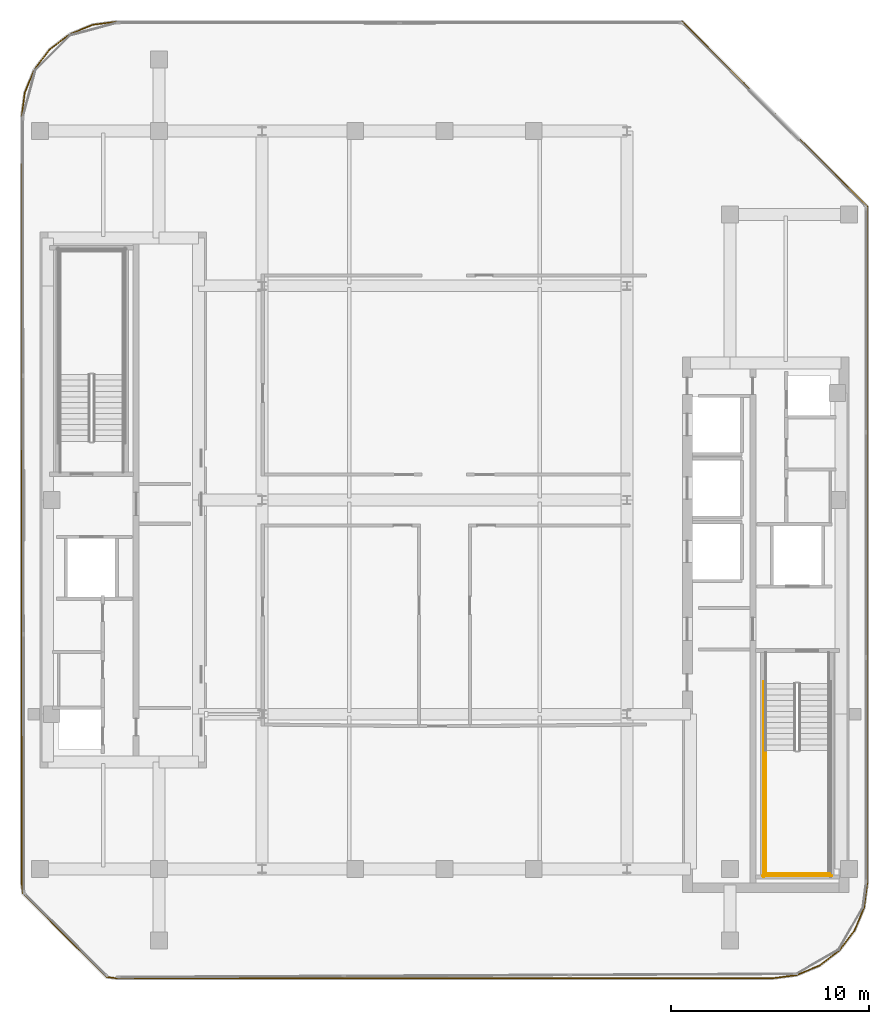
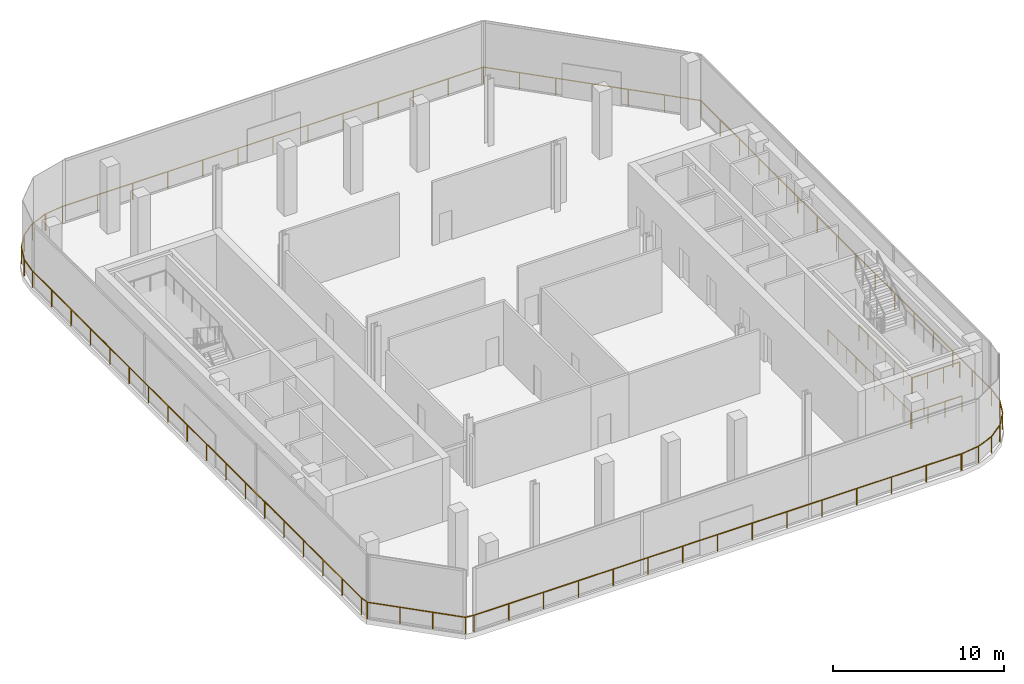
# One storey, part 11 of 13: 6 railings.
"""IFC4 building model written with IfcOpenShell, lengths in metres."""

import ifcopenshell
import ifcopenshell.guid

model = None  # the IFC model being written
_history = None  # IfcOwnerHistory: only IFC2X3 demands one
_inside = {}  # id of a spatial element -> (the spatial element, [elements in it])
_under = {}  # id of a project, library or spatial element -> (it, [spatial elements below it])
_declared = {}  # id of a project -> (the project, [libraries it declares])
_typed = {}  # id of a type object -> (the type object, [elements of that type])
_made_of = {}  # id of a material, layer set ... -> (it, [elements and type objects made of it])


def new_model(schema):
    """Start an empty IFC model of exactly this schema.

    Asked for "IFC4X3", IfcOpenShell would pick the latest addendum, in which some entities
    have other attributes; the version numbers below select the first issue.
    IFC2X3 requires an IfcOwnerHistory on every rooted entity: one is made here for all.
    """
    global model, _history
    if schema == "IFC4X3":
        model = ifcopenshell.file(schema_version=(4, 3, 0, 0))
    else:
        model = ifcopenshell.file(schema=schema)
    _inside.clear()
    _under.clear()
    _declared.clear()
    _typed.clear()
    _made_of.clear()
    _history = None
    if model.schema == "IFC2X3":
        org = make("IfcOrganization", Name="unknown")
        user = make(
            "IfcPersonAndOrganization",
            ThePerson=make("IfcPerson", FamilyName="unknown"),
            TheOrganization=org,
        )
        app = make(
            "IfcApplication",
            ApplicationDeveloper=org,
            Version="unknown",
            ApplicationFullName="unknown",
            ApplicationIdentifier="unknown",
        )
        _history = make(
            "IfcOwnerHistory",
            OwningUser=user,
            OwningApplication=app,
            ChangeAction="ADDED",
            CreationDate=0,
        )
    return model


def make(cls, **values):
    """One entity of the class cls with the attributes given. An attribute that is None is left unset."""
    return model.create_entity(
        cls, **{name: value for name, value in values.items() if value is not None}
    )


def rooted(cls, **values):
    """An entity with a GlobalId (a new one), such as an element, a storey or a relation."""
    return make(cls, GlobalId=ifcopenshell.guid.new(), OwnerHistory=_history, **values)


def si_unit(unit_type, name, prefix=None):
    """IfcSIUnit, for example si_unit("LENGTHUNIT", "METRE", prefix="MILLI")."""
    return make("IfcSIUnit", UnitType=unit_type, Prefix=prefix, Name=name)


def assignment(units):
    """IfcUnitAssignment: the units of a project."""
    return None if units is None else make("IfcUnitAssignment", Units=units)


def point(xyz):
    """IfcCartesianPoint."""
    return None if xyz is None else make("IfcCartesianPoint", Coordinates=xyz)


def direction(xyz):
    """IfcDirection."""
    return None if xyz is None else make("IfcDirection", DirectionRatios=xyz)


def frame(location, z_axis=None, x_axis=None):
    """IfcAxis2Placement3D, a coordinate frame: its origin and axes. An axis left out is left unset."""
    return make(
        "IfcAxis2Placement3D",
        Location=point(location),
        Axis=direction(z_axis),
        RefDirection=direction(x_axis),
    )


def frame_2d(location, x_axis=None):
    """IfcAxis2Placement2D, a coordinate frame in the plane: its origin and x axis."""
    return make(
        "IfcAxis2Placement2D", Location=point(location), RefDirection=direction(x_axis)
    )


def origin():
    """The frame at (0, 0, 0) with its axes left unset."""
    return frame((0.0, 0.0, 0.0))


def origin_2d():
    """The frame at (0, 0) in the plane with its x axis left unset."""
    return frame_2d((0.0, 0.0))


def place(relative_to, where):
    """IfcLocalPlacement: puts the frame where relative to a parent placement (None: the world)."""
    return make(
        "IfcLocalPlacement", PlacementRelTo=relative_to, RelativePlacement=where
    )


def context(
    kind, dimensions, precision=None, world=None, true_north=None, identifier=None
):
    """IfcGeometricRepresentationContext, for example the 3D "Model" context."""
    return make(
        "IfcGeometricRepresentationContext",
        ContextIdentifier=identifier,
        ContextType=kind,
        CoordinateSpaceDimension=dimensions,
        Precision=precision,
        WorldCoordinateSystem=world,
        TrueNorth=true_north,
    )


def subcontext(parent, identifier, kind, view, scale=None):
    """IfcGeometricRepresentationSubContext, for example "Body" below "Model"."""
    return make(
        "IfcGeometricRepresentationSubContext",
        ContextIdentifier=identifier,
        ContextType=kind,
        ParentContext=parent,
        TargetScale=scale,
        TargetView=view,
    )


def project(units=None, contexts=None):
    """IfcProject with its units and contexts."""
    return rooted(
        "IfcProject",
        Name="project",
        RepresentationContexts=contexts,
        UnitsInContext=assignment(units),
    )


def spatial(cls, under=None, at=None, **own):
    """A site, building, storey or space (cls), placed at a placement, below another one or the project."""
    s = rooted(cls, ObjectPlacement=at, **own)
    if under is not None:
        _under.setdefault(under.id(), (under, []))[1].append(s)
    return s


def profile(cls, at=None, kind="AREA", **sizes):
    """A parametric profile (cls). Its sizes go by their IFC names, for example OverallWidth=200.0."""
    return make(cls, ProfileType=kind, Position=at, **sizes)


def circle(**sizes):
    """IfcCircleProfileDef."""
    return profile("IfcCircleProfileDef", **sizes)


def extrude(swept, where, along, depth):
    """IfcExtrudedAreaSolid: the profile swept, set in the frame where, extruded along a direction by depth."""
    return make(
        "IfcExtrudedAreaSolid",
        SweptArea=swept,
        Position=where,
        ExtrudedDirection=direction(along),
        Depth=depth,
    )


def shape(context_of_items, identifier, shape_type, items):
    """IfcShapeRepresentation: the items that make up one representation, for example the "Body"."""
    return make(
        "IfcShapeRepresentation",
        ContextOfItems=context_of_items,
        RepresentationIdentifier=identifier,
        RepresentationType=shape_type,
        Items=items,
    )


def material(Name=None, Category=None):
    """IfcMaterial."""
    return make("IfcMaterial", Name=Name, Category=Category)


def made_of(thing, what):
    """Note that an element or type object is made of a material, layer set ...; save() writes the relation."""
    if what is not None:
        _made_of.setdefault(what.id(), (what, []))[1].append(thing)
    return thing


def type_object(cls, material=None, **own):
    """A type object (cls), such as IfcWallType, which elements share."""
    return made_of(rooted(cls, **own), material)


def element(
    cls,
    number,
    at=None,
    inside=None,
    cuts=None,
    type_object=None,
    material=None,
    context=None,
    identifier="Body",
    shape_type=None,
    held_by="IfcProductDefinitionShape",
    body=None,
    shapes=None,
    **own,
):
    """One element of the class cls, such as IfcWall. Its Tag is "e" and its number.

    at: its placement. inside: the storey or other place that contains it. cuts: it is an
    opening in that element (IfcRelVoidsElement). A single representation is given by context,
    identifier, shape_type and body (its items); several are given by shapes. held_by: the class
    of the entity that holds the representations. save() writes the other relations.
    """
    e = rooted(cls, Tag="e%d" % number, ObjectPlacement=at, **own)
    if body is not None:
        shapes = [shape(context, identifier, shape_type, body)]
    if shapes is not None:
        e.Representation = make(held_by, Representations=shapes)
    if inside is not None:
        _inside.setdefault(inside.id(), (inside, []))[1].append(e)
    if cuts is not None:
        rooted(
            "IfcRelVoidsElement", RelatingBuildingElement=cuts, RelatedOpeningElement=e
        )
    if type_object is not None:
        _typed.setdefault(type_object.id(), (type_object, []))[1].append(e)
    return made_of(e, material)


def aggregate(whole, parts):
    """IfcRelAggregates: a whole, such as a stair, and the parts it consists of."""
    return rooted("IfcRelAggregates", RelatingObject=whole, RelatedObjects=parts)


def save(model, path):
    """Write the relations noted so far, then the file.

    IfcRelAggregates (storeys below a building ...), IfcRelContainedInSpatialStructure (elements
    in a storey), IfcRelDefinesByType, IfcRelAssociatesMaterial and IfcRelDeclares: one each for
    every whole, place, type object, material and project.
    """
    for whole, parts in _under.values():
        aggregate(whole, parts)
    for where, things in _inside.values():
        rooted(
            "IfcRelContainedInSpatialStructure",
            RelatedElements=things,
            RelatingStructure=where,
        )
    for kind, things in _typed.values():
        rooted("IfcRelDefinesByType", RelatedObjects=things, RelatingType=kind)
    for what, things in _made_of.values():
        rooted("IfcRelAssociatesMaterial", RelatedObjects=things, RelatingMaterial=what)
    for by, libraries in _declared.values():
        rooted("IfcRelDeclares", RelatingContext=by, RelatedDefinitions=libraries)
    model.write(path)


model = new_model("IFC4")

# Units and contexts
model_context = context("Model", 3, precision=1e-05, world=origin(), true_north=direction((0.0, 1.0)))
body_context = subcontext(model_context, "Body", "Model", "MODEL_VIEW")
ifc_project = project(units=[si_unit("LENGTHUNIT", "METRE"), si_unit("AREAUNIT", "SQUARE_METRE"), si_unit("VOLUMEUNIT", "CUBIC_METRE"), si_unit("PLANEANGLEUNIT", "RADIAN"), si_unit("MASSUNIT", "GRAM", prefix="KILO")], contexts=[model_context])

# Site, building, storey
site_placement = place(None, origin())
site = spatial("IfcSite", under=ifc_project, at=site_placement, CompositionType="ELEMENT")
building_placement = place(site_placement, origin())
building = spatial("IfcBuilding", under=site, at=building_placement, Name="Khairoan Windgate Tower", CompositionType="ELEMENT")
storey_placement = place(building_placement, frame((0.0, 0.0, 272.800048828125)))
storey = spatial("IfcBuildingStorey", under=building, at=storey_placement, Name="L65", CompositionType="ELEMENT", Elevation=272.800048828125)

# Railings
ifc_material_1 = material(Name="Anodised Bronze Aluminium 6063-T6", Category="aluminium")
railing_type_1 = type_object("IfcRailingType", Name="Aerodynamic Bronze-and-Glass Balustrade BAL-1200", PredefinedType="BALUSTRADE", material=ifc_material_1)
railing_1_placement = place(storey_placement, frame((16.4697265625, -24.1201171875, 0.0)))
element("IfcRailing", 1, at=railing_1_placement, inside=storey, type_object=railing_type_1, Name="L65 Refuge Floor Perimeter Edge Guardrail (1)", PredefinedType="BALUSTRADE", context=body_context, shape_type="SweptSolid", body=[
    extrude(circle(Radius=0.02392578125, at=origin_2d()), frame((0.0, 0.0, 1.17578125), z_axis=(-1.0, 0.0, 0.0), x_axis=(0.0, -1.0, 0.0)), (0.0, 0.0, 1.0), 32.964599609375),
    extrude(circle(Radius=0.02392578125, at=origin_2d()), frame((-32.964599609375, 0.0, 1.17578125), z_axis=(-0.99139051007, 0.130938369255, 0.0), x_axis=(-0.130938369255, -0.99139051007, 0.0)), (0.0, 0.0, 1.0), 0.548095703125),
    extrude(circle(Radius=0.02392578125, at=origin_2d()), frame((-33.508056640625, 0.07177734375, 1.17578125), z_axis=(-0.707106781187, 0.707106781187, 0.0), x_axis=(-0.707106781187, -0.707106781187, 0.0)), (0.0, 0.0, 1.0), 5.953857421875),
    extrude(circle(Radius=0.02392578125, at=origin_2d()), frame((-37.718017578125, 4.28173828125, 1.17578125), z_axis=(-0.130938369255, 0.99139051007, 0.0), x_axis=(-0.99139051007, -0.130938369255, 0.0)), (0.0, 0.0, 1.0), 0.548095703125),
    extrude(circle(Radius=0.02392578125, at=origin_2d()), frame((-37.789794921875, 4.8251953125, 1.17578125), z_axis=(0.0, 1.0, 0.0), x_axis=(-1.0, 0.0, 0.0)), (0.0, 0.0, 1.0), 38.58984375),
    extrude(circle(Radius=0.02392578125, at=origin_2d()), frame((-37.789794921875, 43.4150390625, 1.17578125), z_axis=(0.130644482255, 0.991429281016, 0.0), x_axis=(-0.991429281016, 0.130644482255, 0.0)), (0.0, 0.0, 1.0), 1.26318359375),
    extrude(circle(Radius=0.02392578125, at=origin_2d()), frame((-37.624755859375, 44.66748046875, 1.17578125), z_axis=(0.382671710323, 0.923884387853, 0.0), x_axis=(-0.923884387853, 0.382671710323, 0.0)), (0.0, 0.0, 1.0), 1.258056640625),
    extrude(circle(Radius=0.02392578125, at=origin_2d()), frame((-37.143310546875, 45.829833984375, 1.17578125), z_axis=(0.608781860611, 0.793337662154, 0.0), x_axis=(-0.793337662154, 0.608781860611, 0.0)), (0.0, 0.0, 1.0), 1.258056640625),
    extrude(circle(Radius=0.02392578125, at=origin_2d()), frame((-36.37744140625, 46.827880859375, 1.17578125), z_axis=(0.793337662154, 0.608781860611, 0.0), x_axis=(-0.608781860611, 0.793337662154, 0.0)), (0.0, 0.0, 1.0), 1.258056640625),
    extrude(circle(Radius=0.02392578125, at=origin_2d()), frame((-35.37939453125, 47.59375, 1.17578125), z_axis=(0.923859964218, 0.382730670989, 0.0), x_axis=(-0.382730670989, 0.923859964218, 0.0)), (0.0, 0.0, 1.0), 1.233154296875),
    extrude(circle(Radius=0.02099609375, at=origin_2d()), origin(), (0.0, 0.0, 1.0), 1.15185546875),
    extrude(circle(Radius=0.02099609375, at=origin_2d()), frame((-2.3544921875, 0.0, 0.0)), (0.0, 0.0, 1.0), 1.15185546875),
    extrude(circle(Radius=0.02099609375, at=origin_2d()), frame((-4.709228515625, 0.0, 0.0)), (0.0, 0.0, 1.0), 1.15185546875),
    extrude(circle(Radius=0.02099609375, at=origin_2d()), frame((-7.06396484375, 0.0, 0.0)), (0.0, 0.0, 1.0), 1.15185546875),
    extrude(circle(Radius=0.02099609375, at=origin_2d()), frame((-9.41845703125, 0.0, 0.0)), (0.0, 0.0, 1.0), 1.15185546875),
    extrude(circle(Radius=0.02099609375, at=origin_2d()), frame((-11.77294921875, 0.0, 0.0)), (0.0, 0.0, 1.0), 1.15185546875),
    extrude(circle(Radius=0.02099609375, at=origin_2d()), frame((-14.127685546875, 0.0, 0.0)), (0.0, 0.0, 1.0), 1.15185546875),
    extrude(circle(Radius=0.02099609375, at=origin_2d()), frame((-16.482421875, 0.0, 0.0)), (0.0, 0.0, 1.0), 1.15185546875),
    extrude(circle(Radius=0.02099609375, at=origin_2d()), frame((-18.8369140625, 0.0, 0.0)), (0.0, 0.0, 1.0), 1.15185546875),
    extrude(circle(Radius=0.02099609375, at=origin_2d()), frame((-21.19140625, 0.0, 0.0)), (0.0, 0.0, 1.0), 1.15185546875),
    extrude(circle(Radius=0.02099609375, at=origin_2d()), frame((-23.546142578125, 0.0, 0.0)), (0.0, 0.0, 1.0), 1.15185546875),
    extrude(circle(Radius=0.02099609375, at=origin_2d()), frame((-25.90087890625, 0.0, 0.0)), (0.0, 0.0, 1.0), 1.15185546875),
    extrude(circle(Radius=0.02099609375, at=origin_2d()), frame((-28.25537109375, 0.0, 0.0)), (0.0, 0.0, 1.0), 1.15185546875),
    extrude(circle(Radius=0.02099609375, at=origin_2d()), frame((-30.60986328125, 0.0, 0.0)), (0.0, 0.0, 1.0), 1.15185546875),
    extrude(circle(Radius=0.02099609375, at=origin_2d()), frame((-32.964599609375, 0.0, 0.0)), (0.0, 0.0, 1.0), 1.15185546875),
    extrude(circle(Radius=0.02099609375, at=origin_2d()), frame((-33.508056640625, 0.07177734375, 0.0)), (0.0, 0.0, 1.0), 1.15185546875),
    extrude(circle(Radius=0.02099609375, at=origin_2d()), frame((-34.911376953125, 1.47509765625, 0.0)), (0.0, 0.0, 1.0), 1.15185546875),
    extrude(circle(Radius=0.02099609375, at=origin_2d()), frame((-36.314697265625, 2.87841796875, 0.0)), (0.0, 0.0, 1.0), 1.15185546875),
    extrude(circle(Radius=0.02099609375, at=origin_2d()), frame((-37.718017578125, 4.28173828125, 0.0)), (0.0, 0.0, 1.0), 1.15185546875),
    extrude(circle(Radius=0.02099609375, at=origin_2d()), frame((-37.789794921875, 4.8251953125, 0.0)), (0.0, 0.0, 1.0), 1.15185546875),
    extrude(circle(Radius=0.02099609375, at=origin_2d()), frame((-37.789794921875, 7.09521484375, 0.0)), (0.0, 0.0, 1.0), 1.15185546875),
    extrude(circle(Radius=0.02099609375, at=origin_2d()), frame((-37.789794921875, 9.365234375, 0.0)), (0.0, 0.0, 1.0), 1.15185546875),
    extrude(circle(Radius=0.02099609375, at=origin_2d()), frame((-37.789794921875, 11.63525390625, 0.0)), (0.0, 0.0, 1.0), 1.15185546875),
    extrude(circle(Radius=0.02099609375, at=origin_2d()), frame((-37.789794921875, 13.9052734375, 0.0)), (0.0, 0.0, 1.0), 1.15185546875),
    extrude(circle(Radius=0.02099609375, at=origin_2d()), frame((-37.789794921875, 16.175048828125, 0.0)), (0.0, 0.0, 1.0), 1.15185546875),
    extrude(circle(Radius=0.02099609375, at=origin_2d()), frame((-37.789794921875, 18.445068359375, 0.0)), (0.0, 0.0, 1.0), 1.15185546875),
    extrude(circle(Radius=0.02099609375, at=origin_2d()), frame((-37.789794921875, 20.715087890625, 0.0)), (0.0, 0.0, 1.0), 1.15185546875),
    extrude(circle(Radius=0.02099609375, at=origin_2d()), frame((-37.789794921875, 22.985107421875, 0.0)), (0.0, 0.0, 1.0), 1.15185546875),
    extrude(circle(Radius=0.02099609375, at=origin_2d()), frame((-37.789794921875, 25.255126953125, 0.0)), (0.0, 0.0, 1.0), 1.15185546875),
    extrude(circle(Radius=0.02099609375, at=origin_2d()), frame((-37.789794921875, 27.525146484375, 0.0)), (0.0, 0.0, 1.0), 1.15185546875),
    extrude(circle(Radius=0.02099609375, at=origin_2d()), frame((-37.789794921875, 29.795166015625, 0.0)), (0.0, 0.0, 1.0), 1.15185546875),
    extrude(circle(Radius=0.02099609375, at=origin_2d()), frame((-37.789794921875, 32.065185546875, 0.0)), (0.0, 0.0, 1.0), 1.15185546875),
    extrude(circle(Radius=0.02099609375, at=origin_2d()), frame((-37.789794921875, 34.3349609375, 0.0)), (0.0, 0.0, 1.0), 1.15185546875),
    extrude(circle(Radius=0.02099609375, at=origin_2d()), frame((-37.789794921875, 36.60498046875, 0.0)), (0.0, 0.0, 1.0), 1.15185546875),
    extrude(circle(Radius=0.02099609375, at=origin_2d()), frame((-37.789794921875, 38.875, 0.0)), (0.0, 0.0, 1.0), 1.15185546875),
    extrude(circle(Radius=0.02099609375, at=origin_2d()), frame((-37.789794921875, 41.14501953125, 0.0)), (0.0, 0.0, 1.0), 1.15185546875),
    extrude(circle(Radius=0.02099609375, at=origin_2d()), frame((-37.789794921875, 43.4150390625, 0.0)), (0.0, 0.0, 1.0), 1.15185546875),
    extrude(circle(Radius=0.02099609375, at=origin_2d()), frame((-37.624755859375, 44.66748046875, 0.0)), (0.0, 0.0, 1.0), 1.15185546875),
    extrude(circle(Radius=0.02099609375, at=origin_2d()), frame((-37.143310546875, 45.829833984375, 0.0)), (0.0, 0.0, 1.0), 1.15185546875),
    extrude(circle(Radius=0.02099609375, at=origin_2d()), frame((-36.37744140625, 46.827880859375, 0.0)), (0.0, 0.0, 1.0), 1.15185546875),
    extrude(circle(Radius=0.02099609375, at=origin_2d()), frame((-35.37939453125, 47.59375, 0.0)), (0.0, 0.0, 1.0), 1.15185546875),
    extrude(circle(Radius=0.02099609375, at=origin_2d()), frame((-34.240234375, 48.065673828125, 0.0)), (0.0, 0.0, 1.0), 1.15185546875),
])
railing_2_placement = place(storey_placement, frame((-17.722412109375, 23.95849609375, 0.0)))
element("IfcRailing", 2, at=railing_2_placement, inside=storey, type_object=railing_type_1, Name="L65 Refuge Floor Perimeter Edge Guardrail (2)", PredefinedType="BALUSTRADE", context=body_context, shape_type="SweptSolid", body=[
    extrude(circle(Radius=0.02392578125, at=origin_2d()), frame((0.0, 0.0, 1.17578125), z_axis=(0.99144355375, 0.130536124221, 0.0), x_axis=(-0.130536124221, 0.99144355375, 0.0)), (0.0, 0.0, 1.0), 1.238037109375),
    extrude(circle(Radius=0.02392578125, at=origin_2d()), frame((1.2275390625, 0.16162109375, 1.17578125), z_axis=(1.0, 0.0, 0.0), x_axis=(0.0, 1.0, 0.0)), (0.0, 0.0, 1.0), 28.481689453125),
    extrude(circle(Radius=0.02392578125, at=origin_2d()), frame((29.709228515625, 0.16162109375, 1.17578125), z_axis=(0.707106781187, -0.707106781187, 0.0), x_axis=(0.707106781187, 0.707106781187, 0.0)), (0.0, 0.0, 1.0), 13.19921875),
    extrude(circle(Radius=0.02392578125, at=origin_2d()), frame((39.04248046875, -9.171630859375, 1.17578125), z_axis=(0.0, -1.0, 0.0), x_axis=(1.0, 0.0, 0.0)), (0.0, 0.0, 1.0), 34.081787109375),
    extrude(circle(Radius=0.02392578125, at=origin_2d()), frame((39.04248046875, -43.25341796875, 1.17578125), z_axis=(-0.130644482255, -0.991429281016, 0.0), x_axis=(0.991429281016, -0.130644482255, 0.0)), (0.0, 0.0, 1.0), 1.26318359375),
    extrude(circle(Radius=0.02392578125, at=origin_2d()), frame((38.87744140625, -44.505859375, 1.17578125), z_axis=(-0.382671710323, -0.923884387853, 0.0), x_axis=(0.923884387853, -0.382671710323, 0.0)), (0.0, 0.0, 1.0), 1.258056640625),
    extrude(circle(Radius=0.02392578125, at=origin_2d()), frame((38.39599609375, -45.668212890625, 1.17578125), z_axis=(-0.608781860611, -0.793337662154, 0.0), x_axis=(0.793337662154, -0.608781860611, 0.0)), (0.0, 0.0, 1.0), 1.258056640625),
    extrude(circle(Radius=0.02392578125, at=origin_2d()), frame((37.630126953125, -46.666259765625, 1.17578125), z_axis=(-0.793337662154, -0.608781860611, 0.0), x_axis=(0.608781860611, -0.793337662154, 0.0)), (0.0, 0.0, 1.0), 1.258056640625),
    extrude(circle(Radius=0.02392578125, at=origin_2d()), frame((36.632080078125, -47.43212890625, 1.17578125), z_axis=(-0.923884387853, -0.382671710323, 0.0), x_axis=(0.382671710323, -0.923884387853, 0.0)), (0.0, 0.0, 1.0), 1.258056640625),
    extrude(circle(Radius=0.02392578125, at=origin_2d()), frame((35.4697265625, -47.91357421875, 1.17578125), z_axis=(-0.991446912726, -0.130510609709, 0.0), x_axis=(0.130510609709, -0.991446912726, 0.0)), (0.0, 0.0, 1.0), 1.23828125),
    extrude(circle(Radius=0.02099609375, at=origin_2d()), origin(), (0.0, 0.0, 1.0), 1.15185546875),
    extrude(circle(Radius=0.02099609375, at=origin_2d()), frame((1.2275390625, 0.16162109375, 0.0)), (0.0, 0.0, 1.0), 1.15185546875),
    extrude(circle(Radius=0.02099609375, at=origin_2d()), frame((3.60107421875, 0.16162109375, 0.0)), (0.0, 0.0, 1.0), 1.15185546875),
    extrude(circle(Radius=0.02099609375, at=origin_2d()), frame((5.974609375, 0.16162109375, 0.0)), (0.0, 0.0, 1.0), 1.15185546875),
    extrude(circle(Radius=0.02099609375, at=origin_2d()), frame((8.347900390625, 0.16162109375, 0.0)), (0.0, 0.0, 1.0), 1.15185546875),
    extrude(circle(Radius=0.02099609375, at=origin_2d()), frame((10.721435546875, 0.16162109375, 0.0)), (0.0, 0.0, 1.0), 1.15185546875),
    extrude(circle(Radius=0.02099609375, at=origin_2d()), frame((13.094970703125, 0.16162109375, 0.0)), (0.0, 0.0, 1.0), 1.15185546875),
    extrude(circle(Radius=0.02099609375, at=origin_2d()), frame((15.46826171875, 0.16162109375, 0.0)), (0.0, 0.0, 1.0), 1.15185546875),
    extrude(circle(Radius=0.02099609375, at=origin_2d()), frame((17.841796875, 0.16162109375, 0.0)), (0.0, 0.0, 1.0), 1.15185546875),
    extrude(circle(Radius=0.02099609375, at=origin_2d()), frame((20.21533203125, 0.16162109375, 0.0)), (0.0, 0.0, 1.0), 1.15185546875),
    extrude(circle(Radius=0.02099609375, at=origin_2d()), frame((22.5888671875, 0.16162109375, 0.0)), (0.0, 0.0, 1.0), 1.15185546875),
    extrude(circle(Radius=0.02099609375, at=origin_2d()), frame((24.96240234375, 0.16162109375, 0.0)), (0.0, 0.0, 1.0), 1.15185546875),
    extrude(circle(Radius=0.02099609375, at=origin_2d()), frame((27.335693359375, 0.16162109375, 0.0)), (0.0, 0.0, 1.0), 1.15185546875),
    extrude(circle(Radius=0.02099609375, at=origin_2d()), frame((29.709228515625, 0.16162109375, 0.0)), (0.0, 0.0, 1.0), 1.15185546875),
    extrude(circle(Radius=0.02099609375, at=origin_2d()), frame((31.2646484375, -1.39404296875, 0.0)), (0.0, 0.0, 1.0), 1.15185546875),
    extrude(circle(Radius=0.02099609375, at=origin_2d()), frame((32.8203125, -2.949462890625, 0.0)), (0.0, 0.0, 1.0), 1.15185546875),
    extrude(circle(Radius=0.02099609375, at=origin_2d()), frame((34.3759765625, -4.5048828125, 0.0)), (0.0, 0.0, 1.0), 1.15185546875),
    extrude(circle(Radius=0.02099609375, at=origin_2d()), frame((35.931396484375, -6.060546875, 0.0)), (0.0, 0.0, 1.0), 1.15185546875),
    extrude(circle(Radius=0.02099609375, at=origin_2d()), frame((37.48681640625, -7.6162109375, 0.0)), (0.0, 0.0, 1.0), 1.15185546875),
    extrude(circle(Radius=0.02099609375, at=origin_2d()), frame((39.04248046875, -9.171630859375, 0.0)), (0.0, 0.0, 1.0), 1.15185546875),
    extrude(circle(Radius=0.02099609375, at=origin_2d()), frame((39.04248046875, -11.44384765625, 0.0)), (0.0, 0.0, 1.0), 1.15185546875),
    extrude(circle(Radius=0.02099609375, at=origin_2d()), frame((39.04248046875, -13.7158203125, 0.0)), (0.0, 0.0, 1.0), 1.15185546875),
    extrude(circle(Radius=0.02099609375, at=origin_2d()), frame((39.04248046875, -15.988037109375, 0.0)), (0.0, 0.0, 1.0), 1.15185546875),
    extrude(circle(Radius=0.02099609375, at=origin_2d()), frame((39.04248046875, -18.260009765625, 0.0)), (0.0, 0.0, 1.0), 1.15185546875),
    extrude(circle(Radius=0.02099609375, at=origin_2d()), frame((39.04248046875, -20.5322265625, 0.0)), (0.0, 0.0, 1.0), 1.15185546875),
    extrude(circle(Radius=0.02099609375, at=origin_2d()), frame((39.04248046875, -22.804443359375, 0.0)), (0.0, 0.0, 1.0), 1.15185546875),
    extrude(circle(Radius=0.02099609375, at=origin_2d()), frame((39.04248046875, -25.076416015625, 0.0)), (0.0, 0.0, 1.0), 1.15185546875),
    extrude(circle(Radius=0.02099609375, at=origin_2d()), frame((39.04248046875, -27.3486328125, 0.0)), (0.0, 0.0, 1.0), 1.15185546875),
    extrude(circle(Radius=0.02099609375, at=origin_2d()), frame((39.04248046875, -29.62060546875, 0.0)), (0.0, 0.0, 1.0), 1.15185546875),
    extrude(circle(Radius=0.02099609375, at=origin_2d()), frame((39.04248046875, -31.892822265625, 0.0)), (0.0, 0.0, 1.0), 1.15185546875),
    extrude(circle(Radius=0.02099609375, at=origin_2d()), frame((39.04248046875, -34.1650390625, 0.0)), (0.0, 0.0, 1.0), 1.15185546875),
    extrude(circle(Radius=0.02099609375, at=origin_2d()), frame((39.04248046875, -36.43701171875, 0.0)), (0.0, 0.0, 1.0), 1.15185546875),
    extrude(circle(Radius=0.02099609375, at=origin_2d()), frame((39.04248046875, -38.709228515625, 0.0)), (0.0, 0.0, 1.0), 1.15185546875),
    extrude(circle(Radius=0.02099609375, at=origin_2d()), frame((39.04248046875, -40.981201171875, 0.0)), (0.0, 0.0, 1.0), 1.15185546875),
    extrude(circle(Radius=0.02099609375, at=origin_2d()), frame((39.04248046875, -43.25341796875, 0.0)), (0.0, 0.0, 1.0), 1.15185546875),
    extrude(circle(Radius=0.02099609375, at=origin_2d()), frame((38.87744140625, -44.505859375, 0.0)), (0.0, 0.0, 1.0), 1.15185546875),
    extrude(circle(Radius=0.02099609375, at=origin_2d()), frame((38.39599609375, -45.668212890625, 0.0)), (0.0, 0.0, 1.0), 1.15185546875),
    extrude(circle(Radius=0.02099609375, at=origin_2d()), frame((37.630126953125, -46.666259765625, 0.0)), (0.0, 0.0, 1.0), 1.15185546875),
    extrude(circle(Radius=0.02099609375, at=origin_2d()), frame((36.632080078125, -47.43212890625, 0.0)), (0.0, 0.0, 1.0), 1.15185546875),
    extrude(circle(Radius=0.02099609375, at=origin_2d()), frame((35.4697265625, -47.91357421875, 0.0)), (0.0, 0.0, 1.0), 1.15185546875),
    extrude(circle(Radius=0.02099609375, at=origin_2d()), frame((34.241943359375, -48.0751953125, 0.0)), (0.0, 0.0, 1.0), 1.15185546875),
])
ifc_material_2 = material(Name="Steel S355", Category="steel")
railing_type_2 = type_object("IfcRailingType", Name="Stairwell Safety Guardrail SGR-1150", PredefinedType="GUARDRAIL", material=ifc_material_2)
railing_3_placement = place(storey_placement, frame((16.199951171875, -12.6201171875, 2.39990234375)))
element("IfcRailing", 3, at=railing_3_placement, inside=storey, type_object=railing_type_2, Name="L65 ST1 stair guard 3", PredefinedType="GUARDRAIL", context=body_context, shape_type="SweptSolid", body=[
    extrude(circle(Radius=0.02392578125, at=origin_2d()), frame((0.0, 0.0, 1.1259765625), z_axis=(0.0, -1.0, 0.0), x_axis=(1.0, 0.0, 0.0)), (0.0, 0.0, 1.0), 6.27978515625),
    extrude(circle(Radius=0.02099609375, at=origin_2d()), origin(), (0.0, 0.0, 1.0), 1.101806640625),
    extrude(circle(Radius=0.02099609375, at=origin_2d()), frame((0.0, -1.046630859375, 0.0)), (0.0, 0.0, 1.0), 1.101806640625),
    extrude(circle(Radius=0.02099609375, at=origin_2d()), frame((0.0, -2.09326171875, 0.0)), (0.0, 0.0, 1.0), 1.101806640625),
    extrude(circle(Radius=0.02099609375, at=origin_2d()), frame((0.0, -3.139892578125, 0.0)), (0.0, 0.0, 1.0), 1.101806640625),
    extrude(circle(Radius=0.02099609375, at=origin_2d()), frame((0.0, -4.1865234375, 0.0)), (0.0, 0.0, 1.0), 1.101806640625),
    extrude(circle(Radius=0.02099609375, at=origin_2d()), frame((0.0, -5.233154296875, 0.0)), (0.0, 0.0, 1.0), 1.101806640625),
    extrude(circle(Radius=0.02099609375, at=origin_2d()), frame((0.0, -6.27978515625, 0.0)), (0.0, 0.0, 1.0), 1.101806640625),
])
railing_4_placement = place(storey_placement, frame((16.14990234375, -18.85009765625, 2.39990234375)))
element("IfcRailing", 4, at=railing_4_placement, inside=storey, type_object=railing_type_2, Name="L65 ST1 stair guard 5", PredefinedType="GUARDRAIL", context=body_context, shape_type="SweptSolid", body=[
    extrude(circle(Radius=0.02392578125, at=origin_2d()), frame((0.0, 0.0, 1.1259765625), z_axis=(1.0, 0.0, 0.0), x_axis=(0.0, 1.0, 0.0)), (0.0, 0.0, 1.0), 3.27001953125),
    extrude(circle(Radius=0.02099609375, at=origin_2d()), origin(), (0.0, 0.0, 1.0), 1.101806640625),
    extrude(circle(Radius=0.02099609375, at=origin_2d()), frame((1.090087890625, 0.0, 0.0)), (0.0, 0.0, 1.0), 1.101806640625),
    extrude(circle(Radius=0.02099609375, at=origin_2d()), frame((2.179931640625, 0.0, 0.0)), (0.0, 0.0, 1.0), 1.101806640625),
    extrude(circle(Radius=0.02099609375, at=origin_2d()), frame((3.27001953125, 0.0, 0.0)), (0.0, 0.0, 1.0), 1.101806640625),
])
railing_5_placement = place(storey_placement, frame((16.10009765625, -9.159912109375, 0.0)))
element("IfcRailing", 5, at=railing_5_placement, inside=storey, type_object=railing_type_2, Name="L65 ST1 stair guard 10", PredefinedType="GUARDRAIL", context=body_context, shape_type="SweptSolid", body=[
    extrude(circle(Radius=0.02392578125, at=origin_2d()), frame((0.0, 0.0, 1.1259765625), z_axis=(0.0, -1.0, 0.0), x_axis=(1.0, 0.0, 0.0)), (0.0, 0.0, 1.0), 9.840087890625),
    extrude(circle(Radius=0.02099609375, at=origin_2d()), origin(), (0.0, 0.0, 1.0), 1.101806640625),
    extrude(circle(Radius=0.02099609375, at=origin_2d()), frame((0.0, -1.09326171875, 0.0)), (0.0, 0.0, 1.0), 1.101806640625),
    extrude(circle(Radius=0.02099609375, at=origin_2d()), frame((0.0, -2.186767578125, 0.0)), (0.0, 0.0, 1.0), 1.101806640625),
    extrude(circle(Radius=0.02099609375, at=origin_2d()), frame((0.0, -3.280029296875, 0.0)), (0.0, 0.0, 1.0), 1.101806640625),
    extrude(circle(Radius=0.02099609375, at=origin_2d()), frame((0.0, -4.373291015625, 0.0)), (0.0, 0.0, 1.0), 1.101806640625),
    extrude(circle(Radius=0.02099609375, at=origin_2d()), frame((0.0, -5.466796875, 0.0)), (0.0, 0.0, 1.0), 1.101806640625),
    extrude(circle(Radius=0.02099609375, at=origin_2d()), frame((0.0, -6.56005859375, 0.0)), (0.0, 0.0, 1.0), 1.101806640625),
    extrude(circle(Radius=0.02099609375, at=origin_2d()), frame((0.0, -7.6533203125, 0.0)), (0.0, 0.0, 1.0), 1.101806640625),
    extrude(circle(Radius=0.02099609375, at=origin_2d()), frame((0.0, -8.746826171875, 0.0)), (0.0, 0.0, 1.0), 1.101806640625),
    extrude(circle(Radius=0.02099609375, at=origin_2d()), frame((0.0, -9.840087890625, 0.0)), (0.0, 0.0, 1.0), 1.101806640625),
])
railing_6_placement = place(storey_placement, frame((16.050048828125, -18.949951171875, 0.0)))
element("IfcRailing", 6, at=railing_6_placement, inside=storey, type_object=railing_type_2, Name="L65 ST1 stair guard 12", PredefinedType="GUARDRAIL", context=body_context, shape_type="SweptSolid", body=[
    extrude(circle(Radius=0.02392578125, at=origin_2d()), frame((0.0, 0.0, 1.1259765625), z_axis=(1.0, 0.0, 0.0), x_axis=(0.0, 1.0, 0.0)), (0.0, 0.0, 1.0), 3.469970703125),
    extrude(circle(Radius=0.02099609375, at=origin_2d()), origin(), (0.0, 0.0, 1.0), 1.101806640625),
    extrude(circle(Radius=0.02099609375, at=origin_2d()), frame((1.15673828125, 0.0, 0.0)), (0.0, 0.0, 1.0), 1.101806640625),
    extrude(circle(Radius=0.02099609375, at=origin_2d()), frame((2.313232421875, 0.0, 0.0)), (0.0, 0.0, 1.0), 1.101806640625),
    extrude(circle(Radius=0.02099609375, at=origin_2d()), frame((3.469970703125, 0.0, 0.0)), (0.0, 0.0, 1.0), 1.101806640625),
])

save(model, "model.ifc")
